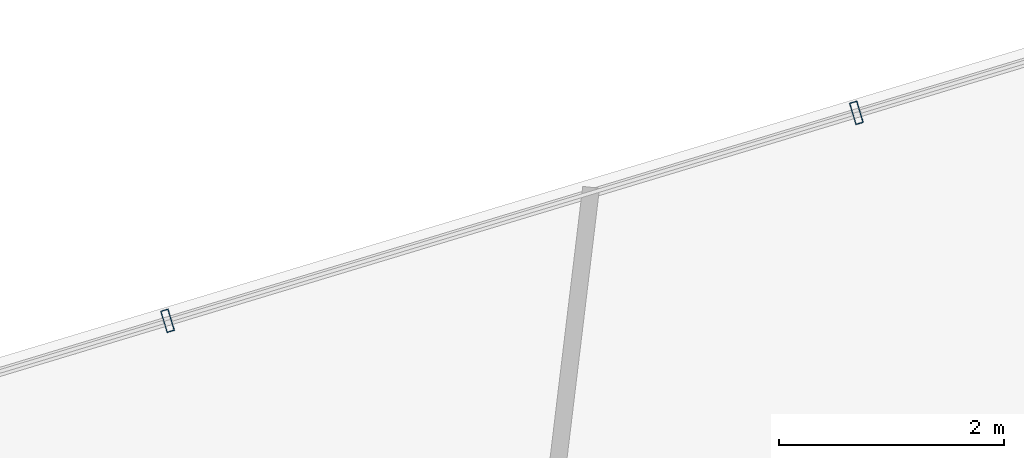
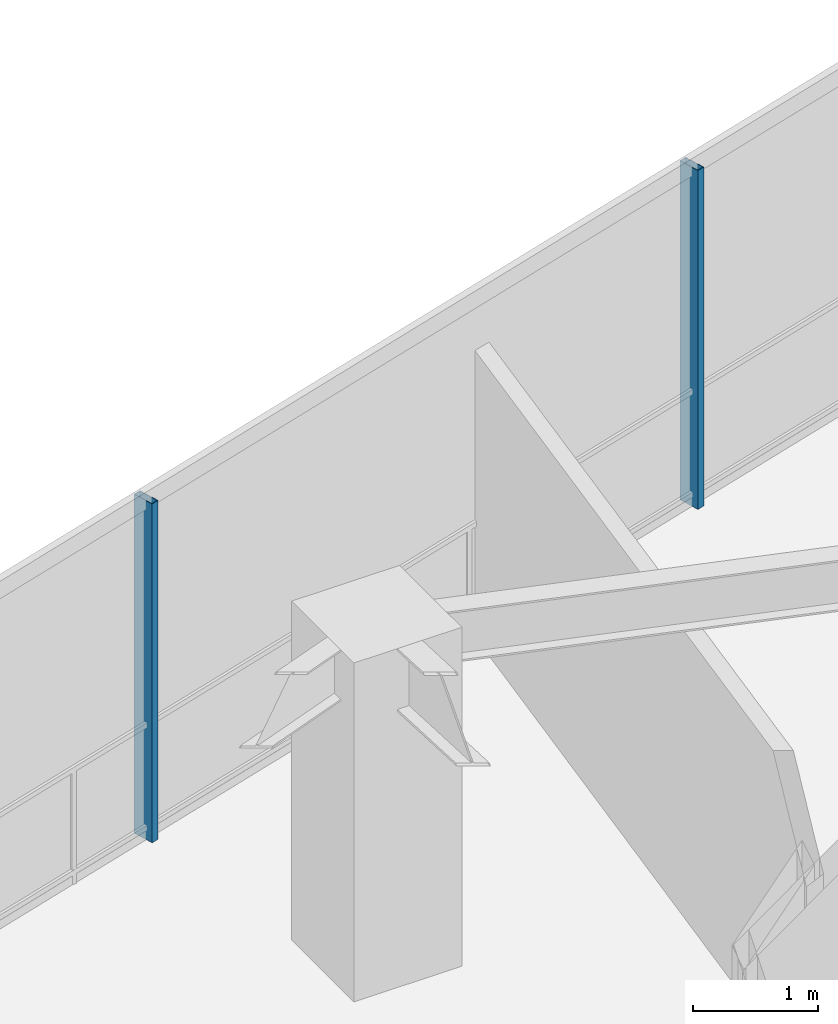
# One storey, part 13 of 19: 2 members, 1 element without a shape of its own.
"""IFC4 building model written with IfcOpenShell, lengths in metres."""

from ifc_helpers import new_model, si_unit, direction, frame, origin, origin_2d, place, context, subcontext, project, spatial, hollow_rectangle, extrude, material, layer, layer_set, material_profile, profile_set, type_object, element, aggregate, save


model = new_model("IFC4")

# Units and contexts
model_context = context("Model", 3, precision=1e-05, world=origin(), true_north=direction((0.0, 1.0)))
body_context = subcontext(model_context, "Body", "Model", "MODEL_VIEW")
ifc_project = project(units=[si_unit("LENGTHUNIT", "METRE"), si_unit("AREAUNIT", "SQUARE_METRE"), si_unit("VOLUMEUNIT", "CUBIC_METRE"), si_unit("PLANEANGLEUNIT", "RADIAN"), si_unit("MASSUNIT", "GRAM", prefix="KILO")], contexts=[model_context])

# Site, building, storey
site_placement = place(None, origin())
site = spatial("IfcSite", under=ifc_project, at=site_placement, CompositionType="ELEMENT")
building_placement = place(site_placement, origin())
building = spatial("IfcBuilding", under=site, at=building_placement, Name="Qarnah Convention Tower", CompositionType="ELEMENT")
storey_placement = place(building_placement, frame((0.0, 0.0, 129.300048828125)))
storey = spatial("IfcBuildingStorey", under=building, at=storey_placement, Name="L34", CompositionType="ELEMENT", Elevation=129.300048828125)

# Curtain wall, members
ifc_material_1 = material(Name="Tempered Low-E dark glass", Category="glass")
ifc_layer = layer(ifc_material_1, 0.172119140625)
ifc_layer_set = layer_set([ifc_layer], Name="Tempered Low-E dark glass")
curtain_wall_type = type_object("IfcCurtainWallType", Name="CWS-03", PredefinedType="NOTDEFINED", material=ifc_layer_set)
curtain_wall_placement = place(storey_placement, origin())
curtain_wall = element("IfcCurtainWall", 1, at=curtain_wall_placement, inside=storey, type_object=curtain_wall_type, Name="L34 unitised curtain wall CW-L34-F2", PredefinedType="NOTDEFINED")
ifc_material_2 = material(Name="Black anodised aluminium", Category="aluminium")
ifc_material_profile = material_profile(ifc_material_2, hollow_rectangle(XDim=0.070068359375, YDim=0.199951171875, WallThickness=0.0048828125, at=origin_2d()), Name="MUL-70X200")
ifc_profile_set = profile_set([ifc_material_profile], Name="Black anodised aluminium")
member_type = type_object("IfcMemberType", Name="MUL-T3", PredefinedType="MULLION", material=ifc_profile_set)
member_1_placement = place(storey_placement, frame((35.89697265625, 43.58349609375, 0.0), z_axis=(0.0, 0.0, 1.0), x_axis=(0.957321510287, 0.289025130295, 0.0)))
member_1 = element("IfcMember", 2, at=member_1_placement, type_object=member_type, Name="CW-L34-F2 mullion 4", PredefinedType="MULLION", context=body_context, shape_type="SweptSolid", body=[
    extrude(hollow_rectangle(XDim=0.070068359375, YDim=0.199951171875, WallThickness=0.0048828125, at=origin_2d()), origin(), (0.0, 0.0, 1.0), 3.320068359375),
])
member_2_placement = place(storey_placement, frame((42.02197265625, 45.432861328125, 0.0), z_axis=(0.0, 0.0, 1.0), x_axis=(0.957321510287, 0.289025130295, 0.0)))
member_2 = element("IfcMember", 3, at=member_2_placement, type_object=member_type, Name="CW-L34-F2 mullion 5", PredefinedType="MULLION", context=body_context, shape_type="SweptSolid", body=[
    extrude(hollow_rectangle(XDim=0.070068359375, YDim=0.199951171875, WallThickness=0.0048828125, at=origin_2d()), origin(), (0.0, 0.0, 1.0), 3.320068359375),
])
aggregate(curtain_wall, [member_1, member_2])

save(model, "model.ifc")
